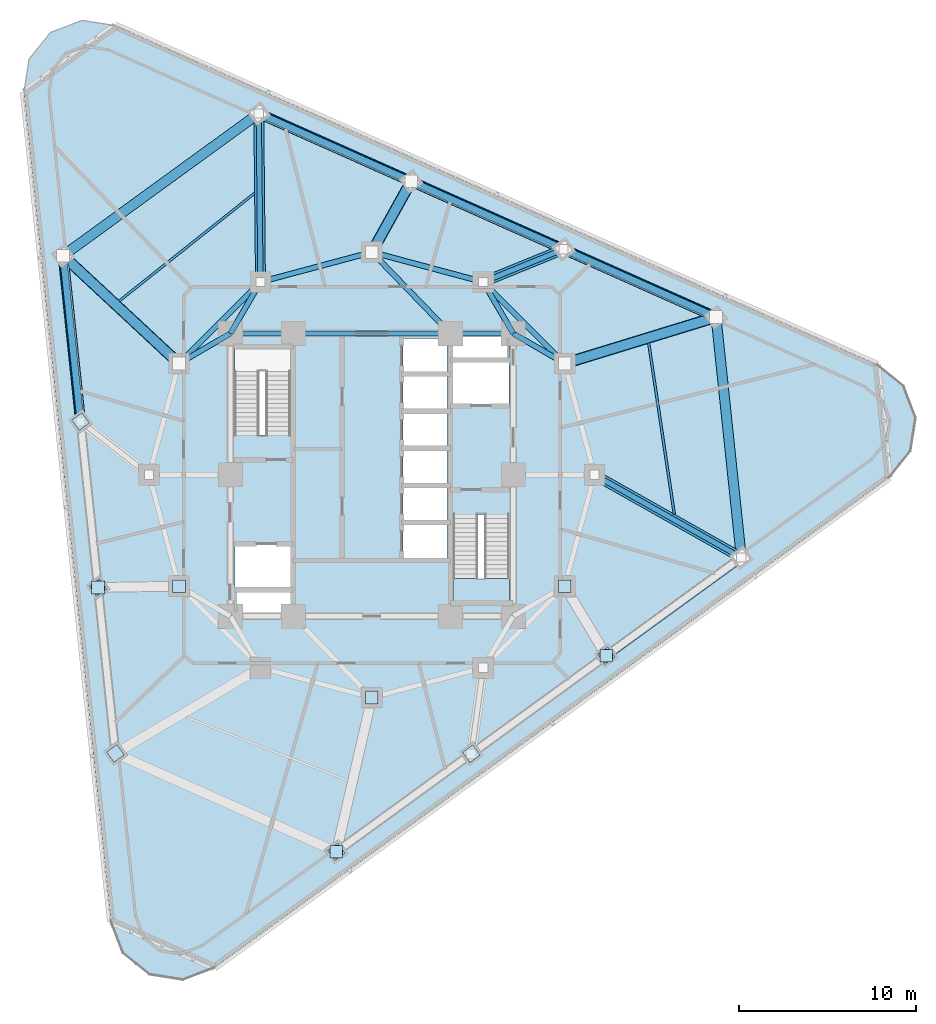
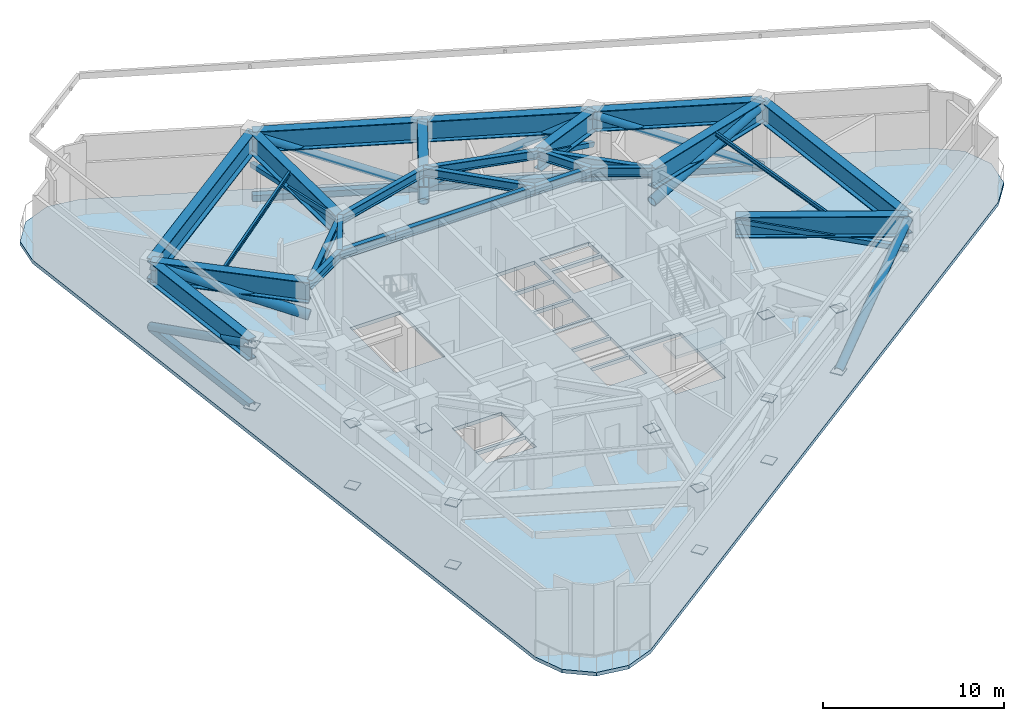
# One storey, part 2 of 10: 26 beams, 15 members, 15 plates, 2 slabs, 1 element without a shape of its own.
"""IFC4 building model written with IfcOpenShell, lengths in metres."""

from ifc_helpers import new_model, si_unit, direction, frame, origin, origin_2d, place, context, subcontext, project, spatial, polyline, rectangle, hollow_rectangle, hollow_circle, i_section, outline, extrude, material, layer, layer_set, material_profile, profile_set, type_object, element, aggregate, save


model = new_model("IFC4")

# Units and contexts
model_context = context("Model", 3, precision=1e-05, world=origin(), true_north=direction((0.0, 1.0)))
body_context = subcontext(model_context, "Body", "Model", "MODEL_VIEW")
ifc_project = project(units=[si_unit("LENGTHUNIT", "METRE"), si_unit("AREAUNIT", "SQUARE_METRE"), si_unit("VOLUMEUNIT", "CUBIC_METRE"), si_unit("PLANEANGLEUNIT", "RADIAN"), si_unit("MASSUNIT", "GRAM", prefix="KILO")], contexts=[model_context])

# Site, building, storey
site_placement = place(None, origin())
site = spatial("IfcSite", under=ifc_project, at=site_placement, CompositionType="ELEMENT")
building_placement = place(site_placement, origin())
building = spatial("IfcBuilding", under=site, at=building_placement, Name="Terralouvre Media Tower", CompositionType="ELEMENT")
storey_placement = place(building_placement, frame((0.0, 0.0, 149.5)))
storey = spatial("IfcBuildingStorey", under=building, at=storey_placement, Name="L38", CompositionType="ELEMENT", Elevation=149.5)

# Members
ifc_material_1 = material(Name="Structural steel S460M", Category="steel")
ifc_material_profile_1 = material_profile(ifc_material_1, hollow_circle(Radius=0.25390625, WallThickness=0.02490234375, at=origin_2d()), Name="CHS 508x25")
ifc_profile_set_1 = profile_set([ifc_material_profile_1], Name="Structural steel S460M")
member_type_1 = type_object("IfcMemberType", Name="Belt and Outrigger Brace BR-CHS508 (CHS 508x25)", PredefinedType="BRACE", material=ifc_profile_set_1)
member_1_placement = place(storey_placement, frame((13.267578125, -10.23095703125, 0.35009765625), z_axis=(0.739158542409, 0.537030663768, 0.406500572394), x_axis=(-0.587785644696, 0.809016709277, 0.0)))
element("IfcMember", 1, at=member_1_placement, inside=storey, type_object=member_type_1, Name="L38 Belt-Truss Diagonal Brace BT03", PredefinedType="BRACE", context=body_context, shape_type="SweptSolid", body=[
    extrude(hollow_circle(Radius=0.25390625, WallThickness=0.02490234375, at=origin_2d()), origin(), (0.0, 0.0, 1.0), 10.33203125),
])
member_2_placement = place(storey_placement, frame((19.474365234375, 8.92626953125, 0.35009765625), z_axis=(-0.834668444144, 0.371612235903, 0.406488541632), x_axis=(-0.406731072803, -0.913547937667, 0.0)))
element("IfcMember", 2, at=member_2_placement, inside=storey, type_object=member_type_1, Name="L38 Belt-Truss Diagonal Brace BT04", PredefinedType="BRACE", context=body_context, shape_type="SweptSolid", body=[
    extrude(hollow_circle(Radius=0.25390625, WallThickness=0.02490234375, at=origin_2d()), origin(), (0.0, 0.0, 1.0), 10.332275390625),
])
for number, where, z_axis, x_axis, name in (
    (3, (10.850341796875, 12.765869140625, 4.550048828125), (-0.834661276601, 0.371619565074, -0.406496558655), (-0.406740682494, -0.913543659167, 0.0), "L38 Belt-Truss Diagonal Brace BT05"),
    (4, (2.2265625, 16.60546875, 0.35009765625), (-0.834661276601, 0.371619565074, 0.406496558655), (-0.406740682494, -0.913543659167, 0.0), "L38 Belt-Truss Diagonal Brace BT06"),
    (5, (-17.467529296875, 12.402099609375, 0.35009765625), (0.095510165291, -0.908646189036, 0.406497123576), (0.994521030321, 0.10453669331, 0.0), "L38 Belt-Truss Diagonal Brace BT07"),
):
    element("IfcMember", number, at=place(storey_placement, frame(where, z_axis=z_axis, x_axis=x_axis)), inside=storey, type_object=member_type_1, Name=name, PredefinedType="BRACE", context=body_context, shape_type="SweptSolid", body=[
        extrude(hollow_circle(Radius=0.25390625, WallThickness=0.02490234375, at=origin_2d()), origin(), (0.0, 0.0, 1.0), 10.33203125),
    ])
ifc_material_2 = material(Name="Structural steel S460M", Category="steel")
ifc_material_profile_2 = material_profile(ifc_material_2, hollow_circle(Radius=0.304931640625, WallThickness=0.030029296875, at=origin_2d()), Name="CHS 610x30")
ifc_profile_set_2 = profile_set([ifc_material_profile_2], Name="Structural steel S460M")
member_type_2 = type_object("IfcMemberType", Name="Belt and Outrigger Brace BR-CHS610 (CHS 610x30)", PredefinedType="BRACE", material=ifc_profile_set_2)
member_3_placement = place(storey_placement, frame((10.911865234375, 6.300048828125, 2.550048828125), z_axis=(0.933060655361, 0.286180812891, 0.217941174975), x_axis=(-0.293229490606, 0.956042083717, 0.0)))
element("IfcMember", 6, at=member_3_placement, inside=storey, type_object=member_type_2, Name="L38 Outrigger Diagonal Brace OR03", PredefinedType="BRACE", context=body_context, shape_type="SweptSolid", body=[
    extrude(hollow_circle(Radius=0.304931640625, WallThickness=0.030029296875, at=origin_2d()), origin(), (0.0, 0.0, 1.0), 9.1767578125),
])
member_4_placement = place(storey_placement, frame((0.0, 12.60009765625, 2.550048828125), z_axis=(0.445307350807, 0.801064955848, 0.39999537476), x_axis=(-0.874031597999, 0.485869082881, 0.0)))
element("IfcMember", 7, at=member_4_placement, inside=storey, type_object=member_type_2, Name="L38 Outrigger Diagonal Brace OR04", PredefinedType="BRACE", context=body_context, shape_type="SweptSolid", body=[
    extrude(hollow_circle(Radius=0.304931640625, WallThickness=0.030029296875, at=origin_2d()), origin(), (0.0, 0.0, 1.0), 5.0),
])
member_5_placement = place(storey_placement, frame((-10.911865234375, 6.300048828125, 2.550048828125), z_axis=(-0.714381717129, 0.664950716443, 0.21794335717), x_axis=(-0.6813288957, -0.731977414873, 0.0)))
element("IfcMember", 8, at=member_5_placement, inside=storey, type_object=member_type_2, Name="L38 Outrigger Diagonal Brace OR05", PredefinedType="BRACE", context=body_context, shape_type="SweptSolid", body=[
    extrude(hollow_circle(Radius=0.304931640625, WallThickness=0.030029296875, at=origin_2d()), origin(), (0.0, 0.0, 1.0), 9.1767578125),
])

# Beams
ifc_material_3 = material(Name="Structural steel S355J2", Category="steel")
ifc_material_profile_3 = material_profile(ifc_material_3, i_section(OverallWidth=0.135009765625, OverallDepth=0.27001953125, WebThickness=0.006591796875, FlangeThickness=0.01025390625, at=origin_2d()), Name="IPE 270")
ifc_profile_set_3 = profile_set([ifc_material_profile_3], Name="Structural steel S355J2")
beam_type_1 = type_object("IfcBeamType", Name="Composite Floor Joist J-IPE270 (IPE 270)", PredefinedType="JOIST", material=ifc_profile_set_3)
beam_1_placement = place(storey_placement, frame((17.115234375, -2.22607421875, 4.764892578125), z_axis=(-0.148194275539, 0.988958268431, 0.0), x_axis=(-0.988958268431, -0.148194275539, 0.0)))
element("IfcBeam", 9, at=beam_1_placement, inside=storey, type_object=beam_type_1, Name="L38 Framing Beam JT-L38-03", PredefinedType="JOIST", context=body_context, shape_type="SweptSolid", body=[
    extrude(i_section(OverallWidth=0.135009765625, OverallDepth=0.27001953125, WebThickness=0.006591796875, FlangeThickness=0.01025390625, at=origin_2d()), origin(), (0.0, 0.0, 1.0), 9.800537109375),
])
beam_2_placement = place(storey_placement, frame((-6.629638671875, 15.935302734375, 4.764892578125), z_axis=(-0.782378144432, -0.622803692278, 0.0), x_axis=(0.622803692278, -0.782378144432, 0.0)))
element("IfcBeam", 10, at=beam_2_placement, inside=storey, type_object=beam_type_1, Name="L38 Framing Beam JT-L38-05", PredefinedType="JOIST", context=body_context, shape_type="SweptSolid", body=[
    extrude(i_section(OverallWidth=0.135009765625, OverallDepth=0.27001953125, WebThickness=0.006591796875, FlangeThickness=0.01025390625, at=origin_2d()), origin(), (0.0, 0.0, 1.0), 9.80078125),
])

# Members
ifc_material_4 = material(Name="Structural steel S355J2", Category="steel")
ifc_material_profile_4 = material_profile(ifc_material_4, hollow_rectangle(XDim=0.300048828125, YDim=0.300048828125, WallThickness=0.01611328125, at=origin_2d()), Name="SHS 300x300x16")
ifc_profile_set_4 = profile_set([ifc_material_profile_4], Name="Structural steel S355J2")
member_type_3 = type_object("IfcMemberType", Name="Portal Knee-Brace Strut ST-SHS300 (SHS 300x300x16)", PredefinedType="STRUT", material=ifc_profile_set_4)
member_6_placement = place(storey_placement, frame((12.60009765625, 0.0, 4.550048828125), z_axis=(0.852518815162, -0.480683767631, -0.205316305565), x_axis=(0.491147332432, 0.871076516642, 0.0)))
element("IfcMember", 11, at=member_6_placement, inside=storey, type_object=member_type_3, Name="L38 Refuge Outrigger Knee-Brace Strut 07", PredefinedType="STRUT", context=body_context, shape_type="SweptSolid", body=[
    extrude(hollow_rectangle(XDim=0.300048828125, YDim=0.300048828125, WallThickness=0.01611328125, at=origin_2d()), origin(), (0.0, 0.0, 1.0), 9.740966796875),
])
member_7_placement = place(storey_placement, frame((6.300048828125, 10.911865234375, 4.550048828125), z_axis=(0.85774471019, 0.349485638437, -0.377006366878), x_axis=(-0.377328453403, 0.926079498884, 0.0)))
element("IfcMember", 12, at=member_7_placement, inside=storey, type_object=member_type_3, Name="L38 Refuge Outrigger Knee-Brace Strut 08", PredefinedType="STRUT", context=body_context, shape_type="SweptSolid", body=[
    extrude(hollow_rectangle(XDim=0.300048828125, YDim=0.300048828125, WallThickness=0.01611328125, at=origin_2d()), origin(), (0.0, 0.0, 1.0), 5.304931640625),
])
member_8_placement = place(storey_placement, frame((-6.300048828125, 10.911865234375, 4.550048828125), z_axis=(-0.009974926153, 0.978645518646, -0.205313052877), x_axis=(-0.999948059668, -0.010192054081, 0.0)))
element("IfcMember", 13, at=member_8_placement, inside=storey, type_object=member_type_3, Name="L38 Refuge Outrigger Knee-Brace Strut 09", PredefinedType="STRUT", context=body_context, shape_type="SweptSolid", body=[
    extrude(hollow_rectangle(XDim=0.300048828125, YDim=0.300048828125, WallThickness=0.01611328125, at=origin_2d()), origin(), (0.0, 0.0, 1.0), 9.7412109375),
])

# Beams
ifc_material_5 = material(Name="Structural steel S460M", Category="steel")
ifc_material_profile_5 = material_profile(ifc_material_5, i_section(OverallWidth=0.300048828125, OverallDepth=0.60009765625, WebThickness=0.015380859375, FlangeThickness=0.030029296875, at=origin_2d()), Name="HEB 600")
ifc_profile_set_5 = profile_set([ifc_material_profile_5], Name="Structural steel S460M")
beam_type_2 = type_object("IfcBeamType", Name="Primary Floor Girder B-HEB600 (HEB 600)", PredefinedType="BEAM", material=ifc_profile_set_5)
beam_3_placement = place(storey_placement, frame((8.0, 8.0, 4.60009765625), z_axis=(-1.0, 0.0, 0.0), x_axis=(0.0, -1.0, 0.0)))
element("IfcBeam", 14, at=beam_3_placement, inside=storey, type_object=beam_type_2, Name="L38 Framing Beam BM-L38-CPR06", PredefinedType="BEAM", context=body_context, shape_type="SweptSolid", body=[
    extrude(i_section(OverallWidth=0.300048828125, OverallDepth=0.60009765625, WebThickness=0.015380859375, FlangeThickness=0.030029296875, at=origin_2d()), origin(), (0.0, 0.0, 1.0), 3.550048828125),
])
beam_4_placement = place(storey_placement, frame((4.449951171875, 8.0, 4.60009765625), z_axis=(-1.0, 0.0, 0.0), x_axis=(0.0, -1.0, 0.0)))
element("IfcBeam", 15, at=beam_4_placement, inside=storey, type_object=beam_type_2, Name="L38 Framing Beam BM-L38-CPR07", PredefinedType="BEAM", context=body_context, shape_type="SweptSolid", body=[
    extrude(i_section(OverallWidth=0.300048828125, OverallDepth=0.60009765625, WebThickness=0.015380859375, FlangeThickness=0.030029296875, at=origin_2d()), origin(), (0.0, 0.0, 1.0), 8.89990234375),
])
beam_5_placement = place(storey_placement, frame((-4.449951171875, 8.0, 4.60009765625), z_axis=(-1.0, 0.0, 0.0), x_axis=(0.0, -1.0, 0.0)))
element("IfcBeam", 16, at=beam_5_placement, inside=storey, type_object=beam_type_2, Name="L38 Framing Beam BM-L38-CPR08", PredefinedType="BEAM", context=body_context, shape_type="SweptSolid", body=[
    extrude(i_section(OverallWidth=0.300048828125, OverallDepth=0.60009765625, WebThickness=0.015380859375, FlangeThickness=0.030029296875, at=origin_2d()), origin(), (0.0, 0.0, 1.0), 3.550048828125),
])
beam_6_placement = place(storey_placement, frame((10.911865234375, 6.300048828125, 4.60009765625), z_axis=(-0.707106781187, 0.707106781187, 0.0), x_axis=(-0.707106781187, -0.707106781187, 0.0)))
element("IfcBeam", 17, at=beam_6_placement, inside=storey, type_object=beam_type_2, Name="L38 Framing Beam BM-L38-MR07", PredefinedType="BEAM", context=body_context, shape_type="SweptSolid", body=[
    extrude(i_section(OverallWidth=0.300048828125, OverallDepth=0.60009765625, WebThickness=0.015380859375, FlangeThickness=0.030029296875, at=origin_2d()), origin(), (0.0, 0.0, 1.0), 6.52197265625),
])
for number, where, z_axis, x_axis, name in (
    (18, (6.300048828125, 10.911865234375, 4.60009765625), (-0.965920481897, 0.258838989821, 0.0), (-0.258838989821, -0.965920481897, 0.0), "L38 Framing Beam BM-L38-MR08"),
    (19, (0.0, 12.60009765625, 4.60009765625), (-0.965920481897, -0.258838989821, 0.0), (0.258838989821, -0.965920481897, 0.0), "L38 Framing Beam BM-L38-MR09"),
):
    element("IfcBeam", number, at=place(storey_placement, frame(where, z_axis=z_axis, x_axis=x_axis)), inside=storey, type_object=beam_type_2, Name=name, PredefinedType="BEAM", context=body_context, shape_type="SweptSolid", body=[
        extrude(i_section(OverallWidth=0.300048828125, OverallDepth=0.60009765625, WebThickness=0.015380859375, FlangeThickness=0.030029296875, at=origin_2d()), origin(), (0.0, 0.0, 1.0), 6.522216796875),
    ])
beam_7_placement = place(storey_placement, frame((-6.300048828125, 10.911865234375, 4.60009765625), z_axis=(-0.707106781187, -0.707106781187, 0.0), x_axis=(0.707106781187, -0.707106781187, 0.0)))
element("IfcBeam", 20, at=beam_7_placement, inside=storey, type_object=beam_type_2, Name="L38 Framing Beam BM-L38-MR10", PredefinedType="BEAM", context=body_context, shape_type="SweptSolid", body=[
    extrude(i_section(OverallWidth=0.300048828125, OverallDepth=0.60009765625, WebThickness=0.015380859375, FlangeThickness=0.030029296875, at=origin_2d()), origin(), (0.0, 0.0, 1.0), 6.52197265625),
])
for number, where, z_axis, x_axis, name in (
    (21, (8.0, 8.0, 4.60009765625), (0.863602894532, -0.504172629717, 0.0), (0.504172629717, 0.863602894532, 0.0), "L38 Framing Beam BM-L38-CM07"),
    (22, (8.0, 8.0, 4.60009765625), (-0.504172629717, 0.863602894532, 0.0), (-0.863602894532, -0.504172629717, 0.0), "L38 Framing Beam BM-L38-CM08"),
):
    element("IfcBeam", number, at=place(storey_placement, frame(where, z_axis=z_axis, x_axis=x_axis)), inside=storey, type_object=beam_type_2, Name=name, PredefinedType="BEAM", context=body_context, shape_type="SweptSolid", body=[
        extrude(i_section(OverallWidth=0.300048828125, OverallDepth=0.60009765625, WebThickness=0.015380859375, FlangeThickness=0.030029296875, at=origin_2d()), origin(), (0.0, 0.0, 1.0), 3.371826171875),
    ])
beam_8_placement = place(storey_placement, frame((4.449951171875, 8.0, 4.60009765625), z_axis=(-0.695279715726, 0.718739255155, 0.0), x_axis=(-0.718739255155, -0.695279715726, 0.0)))
element("IfcBeam", 23, at=beam_8_placement, inside=storey, type_object=beam_type_2, Name="L38 Framing Beam BM-L38-CM09", PredefinedType="BEAM", context=body_context, shape_type="SweptSolid", body=[
    extrude(i_section(OverallWidth=0.300048828125, OverallDepth=0.60009765625, WebThickness=0.015380859375, FlangeThickness=0.030029296875, at=origin_2d()), origin(), (0.0, 0.0, 1.0), 6.400146484375),
])
for number, where, z_axis, x_axis, name in (
    (24, (-8.0, 8.0, 4.60009765625), (0.504172629717, 0.863602894532, 0.0), (-0.863602894532, 0.504172629717, 0.0), "L38 Framing Beam BM-L38-CM10"),
    (25, (-8.0, 8.0, 4.60009765625), (-0.863602894532, -0.504172629717, 0.0), (0.504172629717, -0.863602894532, 0.0), "L38 Framing Beam BM-L38-CM11"),
):
    element("IfcBeam", number, at=place(storey_placement, frame(where, z_axis=z_axis, x_axis=x_axis)), inside=storey, type_object=beam_type_2, Name=name, PredefinedType="BEAM", context=body_context, shape_type="SweptSolid", body=[
        extrude(i_section(OverallWidth=0.300048828125, OverallDepth=0.60009765625, WebThickness=0.015380859375, FlangeThickness=0.030029296875, at=origin_2d()), origin(), (0.0, 0.0, 1.0), 3.371826171875),
    ])

# Members
ifc_material_6 = material(Name="Structural steel S460M", Category="steel")
ifc_material_profile_6 = material_profile(ifc_material_6, hollow_rectangle(XDim=0.39990234375, YDim=0.39990234375, WallThickness=0.02001953125, at=origin_2d()), Name="SHS 400x400x20")
ifc_profile_set_6 = profile_set([ifc_material_profile_6], Name="Structural steel S460M")
member_type_4 = type_object("IfcMemberType", Name="Truss Chord Member CH-SHS400 (SHS 400x400x20)", PredefinedType="CHORD", material=ifc_profile_set_6)
member_9_placement = place(storey_placement, frame((19.474365234375, 8.92626953125, 0.35009765625), z_axis=(-0.913547937667, 0.406731072803, 0.0), x_axis=(-0.406731072803, -0.913547937667, 0.0)))
element("IfcMember", 26, at=member_9_placement, inside=storey, type_object=member_type_4, Name="L38 Belt-Truss Bottom Chord 04", PredefinedType="CHORD", context=body_context, shape_type="SweptSolid", body=[
    extrude(hollow_rectangle(XDim=0.39990234375, YDim=0.39990234375, WallThickness=0.02001953125, at=origin_2d()), origin(), (0.0, 0.0, 1.0), 9.440185546875),
])
for number, where, z_axis, x_axis, name in (
    (27, (10.850341796875, 12.765869140625, 0.35009765625), (-0.913543659167, 0.406740682494, 0.0), (-0.406740682494, -0.913543659167, 0.0), "L38 Belt-Truss Bottom Chord 05"),
    (28, (2.2265625, 16.60546875, 0.35009765625), (-0.913543659167, 0.406740682494, 0.0), (-0.406740682494, -0.913543659167, 0.0), "L38 Belt-Truss Bottom Chord 06"),
    (29, (-17.467529296875, 12.402099609375, 0.35009765625), (0.10453669331, -0.994521030321, 0.0), (0.994521030321, 0.10453669331, 0.0), "L38 Belt-Truss Bottom Chord 07"),
):
    element("IfcMember", number, at=place(storey_placement, frame(where, z_axis=z_axis, x_axis=x_axis)), inside=storey, type_object=member_type_4, Name=name, PredefinedType="CHORD", context=body_context, shape_type="SweptSolid", body=[
        extrude(hollow_rectangle(XDim=0.39990234375, YDim=0.39990234375, WallThickness=0.02001953125, at=origin_2d()), origin(), (0.0, 0.0, 1.0), 9.43994140625),
    ])

# Beams
ifc_material_7 = material(Name="Structural steel S460M", Category="steel")
ifc_material_profile_7 = material_profile(ifc_material_7, i_section(OverallWidth=0.56005859375, OverallDepth=1.39990234375, WebThickness=0.031982421875, FlangeThickness=0.050048828125, at=origin_2d()), Name="TG 1400x560")
ifc_profile_set_7 = profile_set([ifc_material_profile_7], Name="Structural steel S460M")
beam_type_3 = type_object("IfcBeamType", Name="Welded Transfer Girder TG-1400 (TG 1400x560)", PredefinedType="USERDEFINED", material=ifc_profile_set_7)
beam_9_placement = place(storey_placement, frame((20.904541015625, -4.682373046875, 4.199951171875), z_axis=(-0.104517607269, 0.99452303632, 0.0), x_axis=(-0.99452303632, -0.104517607269, 0.0)))
element("IfcBeam", 30, at=beam_9_placement, inside=storey, type_object=beam_type_3, Name="L38 Framing Beam BM-L38-PR06", ObjectType="TRANSFER GIRDER", PredefinedType="USERDEFINED", context=body_context, shape_type="SweptSolid", body=[
    extrude(i_section(OverallWidth=0.56005859375, OverallDepth=1.39990234375, WebThickness=0.031982421875, FlangeThickness=0.050048828125, at=origin_2d()), origin(), (0.0, 0.0, 1.0), 13.68359375),
])
beam_10_placement = place(storey_placement, frame((19.474365234375, 8.92626953125, 4.199951171875), z_axis=(-0.913547937667, 0.406731072803, 0.0), x_axis=(-0.406731072803, -0.913547937667, 0.0)))
element("IfcBeam", 31, at=beam_10_placement, inside=storey, type_object=beam_type_3, Name="L38 Framing Beam BM-L38-PR07", ObjectType="TRANSFER GIRDER", PredefinedType="USERDEFINED", context=body_context, shape_type="SweptSolid", body=[
    extrude(i_section(OverallWidth=0.56005859375, OverallDepth=1.39990234375, WebThickness=0.031982421875, FlangeThickness=0.050048828125, at=origin_2d()), origin(), (0.0, 0.0, 1.0), 9.440185546875),
])
for number, where, z_axis, x_axis, name in (
    (32, (10.850341796875, 12.765869140625, 4.199951171875), (-0.913543659167, 0.406740682494, 0.0), (-0.406740682494, -0.913543659167, 0.0), "L38 Framing Beam BM-L38-PR08"),
    (33, (2.2265625, 16.60546875, 4.199951171875), (-0.913543659167, 0.406740682494, 0.0), (-0.406740682494, -0.913543659167, 0.0), "L38 Framing Beam BM-L38-PR09"),
):
    element("IfcBeam", number, at=place(storey_placement, frame(where, z_axis=z_axis, x_axis=x_axis)), inside=storey, type_object=beam_type_3, Name=name, ObjectType="TRANSFER GIRDER", PredefinedType="USERDEFINED", context=body_context, shape_type="SweptSolid", body=[
        extrude(i_section(OverallWidth=0.56005859375, OverallDepth=1.39990234375, WebThickness=0.031982421875, FlangeThickness=0.050048828125, at=origin_2d()), origin(), (0.0, 0.0, 1.0), 9.43994140625),
    ])
beam_11_placement = place(storey_placement, frame((-6.397216796875, 20.445068359375, 4.199951171875), z_axis=(-0.80901991627, -0.587781230628, 0.0), x_axis=(0.587781230628, -0.80901991627, 0.0)))
element("IfcBeam", 34, at=beam_11_placement, inside=storey, type_object=beam_type_3, Name="L38 Framing Beam BM-L38-PR10", ObjectType="TRANSFER GIRDER", PredefinedType="USERDEFINED", context=body_context, shape_type="SweptSolid", body=[
    extrude(i_section(OverallWidth=0.56005859375, OverallDepth=1.39990234375, WebThickness=0.031982421875, FlangeThickness=0.050048828125, at=origin_2d()), origin(), (0.0, 0.0, 1.0), 13.68359375),
])
beam_12_placement = place(storey_placement, frame((-17.467529296875, 12.402099609375, 4.199951171875), z_axis=(0.10453669331, -0.994521030321, 0.0), x_axis=(0.994521030321, 0.10453669331, 0.0)))
element("IfcBeam", 35, at=beam_12_placement, inside=storey, type_object=beam_type_3, Name="L38 Framing Beam BM-L38-PR11", ObjectType="TRANSFER GIRDER", PredefinedType="USERDEFINED", context=body_context, shape_type="SweptSolid", body=[
    extrude(i_section(OverallWidth=0.56005859375, OverallDepth=1.39990234375, WebThickness=0.031982421875, FlangeThickness=0.050048828125, at=origin_2d()), origin(), (0.0, 0.0, 1.0), 9.43994140625),
])
beam_13_placement = place(storey_placement, frame((12.60009765625, 0.0, 4.199951171875), z_axis=(0.871076516642, -0.491147332432, 0.0), x_axis=(0.491147332432, 0.871076516642, 0.0)))
element("IfcBeam", 36, at=beam_13_placement, inside=storey, type_object=beam_type_3, Name="L38 Framing Beam BM-L38-RD06", ObjectType="TRANSFER GIRDER", PredefinedType="USERDEFINED", context=body_context, shape_type="SweptSolid", body=[
    extrude(i_section(OverallWidth=0.56005859375, OverallDepth=1.39990234375, WebThickness=0.031982421875, FlangeThickness=0.050048828125, at=origin_2d()), origin(), (0.0, 0.0, 1.0), 9.533447265625),
])
beam_14_placement = place(storey_placement, frame((10.911865234375, 6.300048828125, 4.199951171875), z_axis=(0.956042083717, 0.293229490606, 0.0), x_axis=(-0.293229490606, 0.956042083717, 0.0)))
element("IfcBeam", 37, at=beam_14_placement, inside=storey, type_object=beam_type_3, Name="L38 Framing Beam BM-L38-RD07", ObjectType="TRANSFER GIRDER", PredefinedType="USERDEFINED", context=body_context, shape_type="SweptSolid", body=[
    extrude(i_section(OverallWidth=0.56005859375, OverallDepth=1.39990234375, WebThickness=0.031982421875, FlangeThickness=0.050048828125, at=origin_2d()), origin(), (0.0, 0.0, 1.0), 8.956298828125),
])
beam_15_placement = place(storey_placement, frame((6.300048828125, 10.911865234375, 4.199951171875), z_axis=(0.926079498884, 0.377328453403, 0.0), x_axis=(-0.377328453403, 0.926079498884, 0.0)))
element("IfcBeam", 38, at=beam_15_placement, inside=storey, type_object=beam_type_3, Name="L38 Framing Beam BM-L38-RD08", ObjectType="TRANSFER GIRDER", PredefinedType="USERDEFINED", context=body_context, shape_type="SweptSolid", body=[
    extrude(i_section(OverallWidth=0.56005859375, OverallDepth=1.39990234375, WebThickness=0.031982421875, FlangeThickness=0.050048828125, at=origin_2d()), origin(), (0.0, 0.0, 1.0), 4.91357421875),
])
beam_16_placement = place(storey_placement, frame((0.0, 12.60009765625, 4.199951171875), z_axis=(0.485869082881, 0.874031597999, 0.0), x_axis=(-0.874031597999, 0.485869082881, 0.0)))
element("IfcBeam", 39, at=beam_16_placement, inside=storey, type_object=beam_type_3, Name="L38 Framing Beam BM-L38-RD09", ObjectType="TRANSFER GIRDER", PredefinedType="USERDEFINED", context=body_context, shape_type="SweptSolid", body=[
    extrude(i_section(OverallWidth=0.56005859375, OverallDepth=1.39990234375, WebThickness=0.031982421875, FlangeThickness=0.050048828125, at=origin_2d()), origin(), (0.0, 0.0, 1.0), 4.58251953125),
])
beam_17_placement = place(storey_placement, frame((-6.300048828125, 10.911865234375, 4.199951171875), z_axis=(-0.010192054081, 0.999948059668, 0.0), x_axis=(-0.999948059668, -0.010192054081, 0.0)))
element("IfcBeam", 40, at=beam_17_placement, inside=storey, type_object=beam_type_3, Name="L38 Framing Beam BM-L38-RD10", ObjectType="TRANSFER GIRDER", PredefinedType="USERDEFINED", context=body_context, shape_type="SweptSolid", body=[
    extrude(i_section(OverallWidth=0.56005859375, OverallDepth=1.39990234375, WebThickness=0.031982421875, FlangeThickness=0.050048828125, at=origin_2d()), origin(), (0.0, 0.0, 1.0), 9.53369140625),
])
beam_18_placement = place(storey_placement, frame((-10.911865234375, 6.300048828125, 4.199951171875), z_axis=(-0.731977414873, 0.6813288957, 0.0), x_axis=(-0.6813288957, -0.731977414873, 0.0)))
element("IfcBeam", 41, at=beam_18_placement, inside=storey, type_object=beam_type_3, Name="L38 Framing Beam BM-L38-RD11", ObjectType="TRANSFER GIRDER", PredefinedType="USERDEFINED", context=body_context, shape_type="SweptSolid", body=[
    extrude(i_section(OverallWidth=0.56005859375, OverallDepth=1.39990234375, WebThickness=0.031982421875, FlangeThickness=0.050048828125, at=origin_2d()), origin(), (0.0, 0.0, 1.0), 8.9560546875),
])

# Slab
ifc_material_8 = material(Name="Concrete C45/55", Category="concrete")
ifc_layer_1 = layer(ifc_material_8, 0.239990234375, Name="Refuge Fire-Barrier Slab S-REF240")
ifc_layer_set_1 = layer_set([ifc_layer_1], Name="Concrete C45/55")
slab_type_1 = type_object("IfcSlabType", Name="Refuge Fire-Barrier Slab S-REF240", PredefinedType="FLOOR", material=ifc_layer_set_1)
slab_1_placement = place(storey_placement, frame((0.0, 0.0, -0.239990234375), z_axis=(0.0, 0.0, 1.0), x_axis=(0.809016994375, 0.587785252292, 0.0)))
element("IfcSlab", 42, at=slab_1_placement, inside=storey, type_object=slab_type_1, Name="L38 Structural Floor Slab", PredefinedType="FLOOR", context=body_context, shape_type="SweptSolid", body=[
    extrude(outline(polyline([(-26.80419921875, -11.775390625), (-27.300048828125, -13.62548828125), (-26.80419921875, -15.475341796875), (-25.449951171875, -16.829833984375), (-23.60009765625, -17.325439453125), (23.60009765625, -17.325439453125), (25.449951171875, -16.829833984375), (26.80419921875, -15.4755859375), (27.300048828125, -13.62548828125), (26.80419921875, -11.775390625), (3.204345703125, 29.100830078125), (1.85009765625, 30.455322265625), (0.0, 30.950927734375), (-1.85009765625, 30.455322265625), (-3.204345703125, 29.100830078125), (-26.80419921875, -11.775390625)]), holes=[polyline([(-7.600830078125, -2.6357421875), (-8.30615234375, -3.6064453125), (-10.8544921875, -1.7548828125), (-10.149169921875, -0.7841796875), (-7.600830078125, -2.6357421875)]), polyline([(-7.4833984375, -2.473876953125), (-10.03173828125, -0.622314453125), (-8.591552734375, 1.359619140625), (-6.043212890625, -0.49169921875), (-7.4833984375, -2.473876953125)]), polyline([(4.366943359375, -1.2197265625), (2.344482421875, 0.24951171875), (3.48486328125, 1.819091796875), (5.50732421875, 0.349609375), (4.366943359375, -1.2197265625)]), polyline([(6.74169921875, 2.048583984375), (5.601318359375, 0.47900390625), (3.578857421875, 1.948486328125), (4.71923828125, 3.51806640625), (6.74169921875, 2.048583984375)]), polyline([(-2.40185546875, 4.52001953125), (-4.974609375, 6.38916015625), (-2.02685546875, 10.446533203125), (0.5458984375, 8.577392578125), (-2.40185546875, 4.52001953125)]), polyline([(6.835693359375, 2.177978515625), (4.813232421875, 3.6474609375), (5.953369140625, 5.217041015625), (7.97607421875, 3.74755859375), (6.835693359375, 2.177978515625)]), polyline([(-0.5458984375, -8.577392578125), (2.40185546875, -4.52001953125), (4.974609375, -6.38916015625), (2.02685546875, -10.446533203125), (-0.5458984375, -8.577392578125)]), polyline([(0.6640625, -6.316650390625), (-1.358642578125, -4.84716796875), (-0.21826171875, -3.277587890625), (1.80419921875, -4.7470703125), (0.6640625, -6.316650390625)]), polyline([(1.8984375, -4.61767578125), (-0.124267578125, -3.148193359375), (1.01611328125, -1.578857421875), (3.03857421875, -3.04833984375), (1.8984375, -4.61767578125)]), polyline([(4.27294921875, -1.349365234375), (3.132568359375, -2.918701171875), (1.110107421875, -1.44921875), (2.25048828125, 0.1201171875), (4.27294921875, -1.349365234375)]), polyline([(8.591552734375, -1.359619140625), (6.043212890625, 0.49169921875), (7.4833984375, 2.473876953125), (10.03173828125, 0.622314453125), (8.591552734375, -1.359619140625)]), polyline([(10.149169921875, 0.7841796875), (7.600830078125, 2.6357421875), (8.30615234375, 3.6064453125), (10.8544921875, 1.7548828125), (10.149169921875, 0.7841796875)])]), origin(), (0.0, 0.0, 1.0), 0.239990234375),
])

# Stair, slab
ifc_material_9 = material(Name="Concrete C45/55", Category="concrete")
stair_type = type_object("IfcStairType", Name="Dogleg Stair Assembly ST-02", PredefinedType="HALF_TURN_STAIR", material=ifc_material_9)
stair_placement = place(storey_placement, origin())
stair = element("IfcStair", 43, at=stair_placement, inside=storey, type_object=stair_type, Name="L38 Core Pressurised Exit Stair ST-02", PredefinedType="HALF_TURN_STAIR")
ifc_material_10 = material(Name="Concrete C45/55", Category="concrete")
ifc_layer_2 = layer(ifc_material_10, 0.199951171875, Name="Reinforced Concrete Stair Half-Landing SL-LD1")
ifc_layer_set_2 = layer_set([ifc_layer_2], Name="Concrete C45/55")
slab_type_2 = type_object("IfcSlabType", Name="Reinforced Concrete Stair Half-Landing SL-LD1", PredefinedType="LANDING", material=ifc_layer_set_2)
slab_2_placement = place(storey_placement, frame((0.0, 0.0, 2.35009765625)))
slab_2 = element("IfcSlab", 44, at=slab_2_placement, type_object=slab_type_2, Name="ST-02 landing 1", PredefinedType="LANDING", context=body_context, shape_type="SweptSolid", body=[
    extrude(outline(polyline([(4.60009765625, -5.860107421875), (4.60009765625, -7.260009765625), (7.780029296875, -7.260009765625), (7.780029296875, -5.860107421875), (4.60009765625, -5.860107421875)])), origin(), (0.0, 0.0, 1.0), 0.199951171875),
])
aggregate(stair, [slab_2])

# Plates
ifc_material_11 = material(Name="Structural steel S460M", Category="steel")
ifc_layer_3 = layer(ifc_material_11, 0.035888671875, Name="Welded Belt-Truss Gusset Node Plate ND-BT1")
ifc_layer_set_3 = layer_set([ifc_layer_3], Name="Structural steel S460M")
plate_type = type_object("IfcPlateType", Name="Welded Belt-Truss Gusset Node Plate ND-BT1", PredefinedType="SHEET", material=ifc_layer_set_3)
for number, where, z_axis, x_axis, name in (
    (45, (-2.0068359375, -21.328369140625, 0.33203125), (0.0, 0.0, 1.0), (0.809016994375, 0.587785252292, 0.0), "L38 Belt-Truss Welded Node Plate ND-01"),
    (46, (5.63037109375, -15.77978515625, 0.33203125), (0.0, 0.0, 1.0), (0.809016994375, 0.587785252292, 0.0), "L38 Belt-Truss Welded Node Plate ND-02"),
    (47, (5.63037109375, -15.77978515625, 4.5322265625), (0.0, 0.0, 1.0), (0.809016994375, 0.587785252292, 0.0), "L38 Belt-Truss Welded Node Plate ND-04"),
    (48, (13.267578125, -10.23095703125, 0.33203125), (0.0, 0.0, 1.0), (0.809016994375, 0.587785252292, 0.0), "L38 Belt-Truss Welded Node Plate ND-06"),
    (49, (-16.480712890625, 3.013916015625, 0.33203125), (0.0, 0.0, 1.0), (0.809016994375, 0.587785252292, 0.0), "L38 Belt-Truss Welded Node Plate ND-26"),
    (50, (-16.480712890625, 3.013916015625, 4.5322265625), (0.0, 0.0, 1.0), (0.809016994375, 0.587785252292, 0.0), "L38 Belt-Truss Welded Node Plate ND-28"),
    (51, (-15.494140625, -6.37451171875, 0.33203125), (0.0, 0.0, 1.0), (0.809016994375, 0.587785252292, 0.0), "L38 Belt-Truss Welded Node Plate ND-30"),
    (52, (-14.50732421875, -15.7626953125, 0.33203125), (0.0, 0.0, 1.0), (0.809016994375, 0.587785252292, 0.0), "L38 Belt-Truss Welded Node Plate ND-34"),
    (53, (-14.50732421875, -15.7626953125, 4.5322265625), (0.0, 0.0, 1.0), (0.809016994375, 0.587785252292, 0.0), "L38 Belt-Truss Welded Node Plate ND-36"),
    (54, (0.0, -12.60009765625, 2.5322265625), (0.0, 0.0, 1.0), (1.0, 0.0, 0.0), "L38 Outrigger Welded Node Plate ND-37"),
    (55, (-2.0068359375, -21.328369140625, 4.5322265625), (0.0, 0.0, 1.0), (1.0, 0.0, 0.0), "L38 Outrigger Welded Node Plate ND-38"),
    (56, (10.911865234375, -6.300048828125, 2.5322265625), (0.0, 0.0, 1.0), (1.0, 0.0, 0.0), "L38 Outrigger Welded Node Plate ND-39"),
    (57, (13.267578125, -10.23095703125, 4.5322265625), (0.0, 0.0, 1.0), (1.0, 0.0, 0.0), "L38 Outrigger Welded Node Plate ND-40"),
    (58, (-10.911865234375, -6.300048828125, 2.5322265625), (0.0, 0.0, 1.0), (1.0, 0.0, 0.0), "L38 Outrigger Welded Node Plate ND-47"),
    (59, (-15.494140625, -6.37451171875, 4.5322265625), (0.0, 0.0, 1.0), (1.0, 0.0, 0.0), "L38 Outrigger Welded Node Plate ND-48"),
):
    element("IfcPlate", number, at=place(storey_placement, frame(where, z_axis=z_axis, x_axis=x_axis)), inside=storey, type_object=plate_type, Name=name, PredefinedType="SHEET", context=body_context, shape_type="SweptSolid", body=[
        extrude(rectangle(XDim=0.719970703125, YDim=0.719970703125, at=origin_2d()), origin(), (0.0, 0.0, 1.0), 0.035888671875),
    ])

save(model, "model.ifc")
